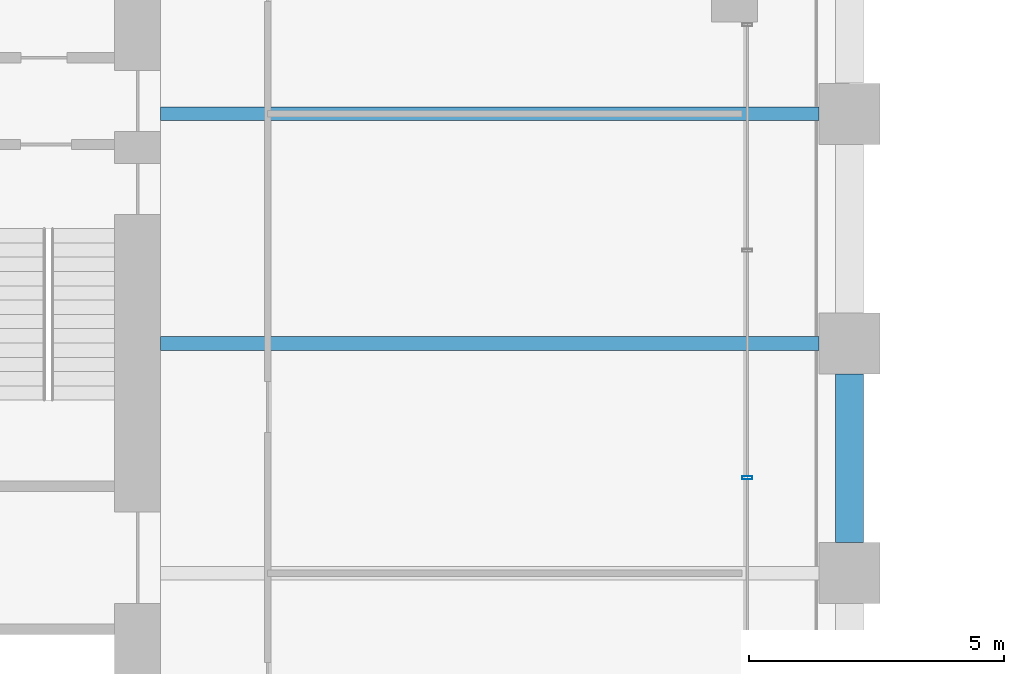
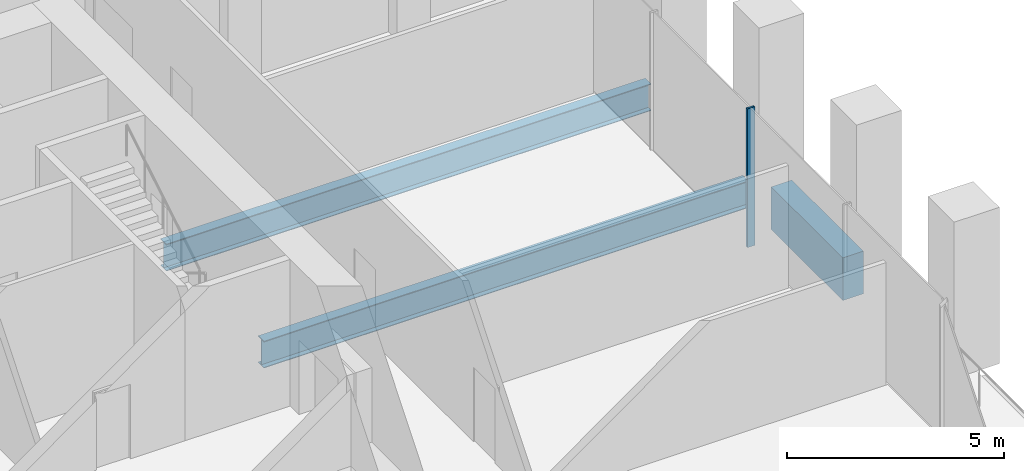
# One storey, part 11 of 36: 3 beams, 1 member, 1 element without a shape of its own.
"""IFC4 building model written with IfcOpenShell, lengths in metres."""

from ifc_helpers import new_model, si_unit, direction, frame, origin, origin_2d, place, context, subcontext, project, spatial, rectangle, hollow_rectangle, i_section, extrude, material, material_profile, profile_set, type_object, element, aggregate, save


model = new_model("IFC4")

# Units and contexts
model_context = context("Model", 3, precision=1e-05, world=origin(), true_north=direction((0.0, 1.0)))
body_context = subcontext(model_context, "Body", "Model", "MODEL_VIEW")
ifc_project = project(units=[si_unit("LENGTHUNIT", "METRE"), si_unit("AREAUNIT", "SQUARE_METRE"), si_unit("VOLUMEUNIT", "CUBIC_METRE"), si_unit("PLANEANGLEUNIT", "RADIAN"), si_unit("MASSUNIT", "GRAM", prefix="KILO")], contexts=[model_context])

# Site, building, storey
site_placement = place(None, origin())
site = spatial("IfcSite", under=ifc_project, at=site_placement, CompositionType="ELEMENT")
building_placement = place(site_placement, origin())
building = spatial("IfcBuilding", under=site, at=building_placement, Name="Altepetl Exchange Towers", CompositionType="ELEMENT")
storey_placement = place(building_placement, frame((0.0, 0.0, 29.800048828125)))
storey = spatial("IfcBuildingStorey", under=building, at=storey_placement, Name="L06", CompositionType="ELEMENT", Elevation=29.800048828125)

# Beams
ifc_material_1 = material(Name="Steel S355", Category="steel")
ifc_material_profile_1 = material_profile(ifc_material_1, i_section(OverallWidth=0.26611328125, OverallDepth=0.758056640625, WebThickness=0.013916015625, FlangeThickness=0.019287109375, at=origin_2d()), Name="W30X108")
ifc_profile_set_1 = profile_set([ifc_material_profile_1], Name="Steel S355")
beam_type_1 = type_object("IfcBeamType", Name="Floor beam W30X108", PredefinedType="BEAM", material=ifc_profile_set_1)
for number, where, z_axis, x_axis, name in (
    (1, (58.5, 49.5, -0.553955078125), (1.0, 0.0, 0.0), (0.0, 1.0, 0.0), "bm:A:L06:010"),
    (2, (58.5, 54.0, -0.553955078125), (1.0, 0.0, 0.0), (0.0, 1.0, 0.0), "bm:A:L06:011"),
):
    element("IfcBeam", number, at=place(storey_placement, frame(where, z_axis=z_axis, x_axis=x_axis)), inside=storey, type_object=beam_type_1, Name=name, PredefinedType="BEAM", context=body_context, shape_type="SweptSolid", body=[
        extrude(i_section(OverallWidth=0.26611328125, OverallDepth=0.758056640625, WebThickness=0.013916015625, FlangeThickness=0.019287109375, at=origin_2d()), origin(), (0.0, 0.0, 1.0), 12.89990234375),
    ])

# Curtain wall, member
ifc_material_2 = material(Name="Aluminium 6063-T6 glazing", Category="aluminium")
curtain_wall_type = type_object("IfcCurtainWallType", Name="Trading floor glazing system", PredefinedType="NOTDEFINED", material=ifc_material_2)
curtain_wall_placement = place(storey_placement, origin())
curtain_wall = element("IfcCurtainWall", 3, at=curtain_wall_placement, inside=storey, type_object=curtain_wall_type, Name="CW2 run", PredefinedType="NOTDEFINED")
ifc_material_3 = material(Name="Aluminium 6063-T6", Category="aluminium")
ifc_material_profile_2 = material_profile(ifc_material_3, hollow_rectangle(XDim=0.06005859375, YDim=0.199951171875, WallThickness=0.0029296875, at=origin_2d()), Name="Mullion 60x200 aluminium")
ifc_profile_set_2 = profile_set([ifc_material_profile_2], Name="Aluminium 6063-T6")
member_type = type_object("IfcMemberType", Name="Mullion 60x200 aluminium", PredefinedType="MULLION", material=ifc_profile_set_2)
member_placement = place(storey_placement, frame((70.0, 46.867919921875, 0.0), z_axis=(0.0, 0.0, 1.0), x_axis=(0.0, 1.0, 0.0)))
member = element("IfcMember", 4, at=member_placement, type_object=member_type, Name="MU2 mullion", PredefinedType="MULLION", context=body_context, shape_type="SweptSolid", body=[
    extrude(hollow_rectangle(XDim=0.06005859375, YDim=0.199951171875, WallThickness=0.0029296875, at=origin_2d()), origin(), (0.0, 0.0, 1.0), 3.89990234375),
])
aggregate(curtain_wall, [member])

# Beam
ifc_material_4 = material(Name="Concrete C50/60 precast with cantera amarilla facing", Category="concrete")
ifc_material_profile_3 = material_profile(ifc_material_4, rectangle(XDim=0.550048828125, YDim=1.199951171875, at=origin_2d()), Name="550 x 1200")
ifc_profile_set_3 = profile_set([ifc_material_profile_3], Name="Concrete C50/60 precast with cantera amarilla facing")
beam_type_2 = type_object("IfcBeamType", Name="Spandrel beam 550x1200 cantera amarilla", PredefinedType="SPANDREL", material=ifc_profile_set_3)
beam_placement = place(storey_placement, frame((72.0, 45.60009765625, -0.775146484375), z_axis=(0.0, 1.0, 0.0), x_axis=(-1.0, 0.0, 0.0)))
element("IfcBeam", 5, at=beam_placement, inside=storey, type_object=beam_type_2, Name="sp:A:L06:015", PredefinedType="SPANDREL", context=body_context, shape_type="SweptSolid", body=[
    extrude(rectangle(XDim=0.550048828125, YDim=1.199951171875, at=origin_2d()), origin(), (0.0, 0.0, 1.0), 3.2998046875),
])

save(model, "model.ifc")
